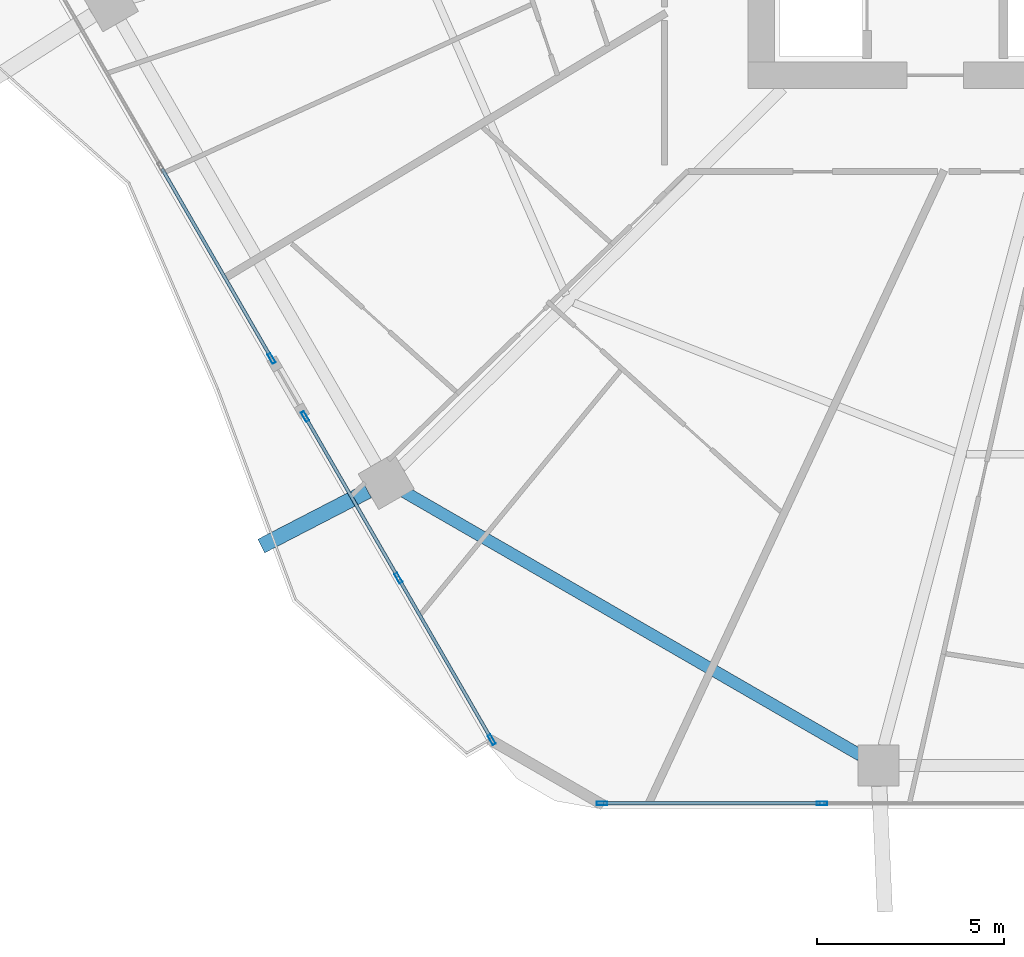
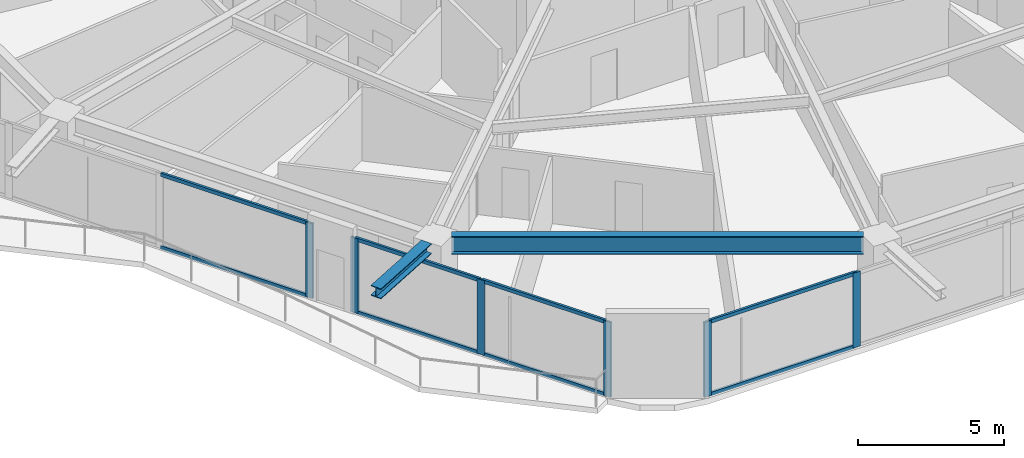
# One storey, part 2 of 32: 14 members, 2 beams, 3 elements without a shape of their own.
"""IFC4 building model written with IfcOpenShell, lengths in metres."""

from ifc_helpers import new_model, si_unit, direction, frame, origin, origin_2d, place, context, subcontext, project, spatial, hollow_rectangle, i_section, extrude, material, material_profile, profile_set, type_object, element, aggregate, save


model = new_model("IFC4")

# Units and contexts
model_context = context("Model", 3, precision=1e-05, world=origin(), true_north=direction((0.0, 1.0)))
body_context = subcontext(model_context, "Body", "Model", "MODEL_VIEW")
ifc_project = project(units=[si_unit("LENGTHUNIT", "METRE"), si_unit("AREAUNIT", "SQUARE_METRE"), si_unit("VOLUMEUNIT", "CUBIC_METRE"), si_unit("PLANEANGLEUNIT", "RADIAN"), si_unit("MASSUNIT", "GRAM", prefix="KILO")], contexts=[model_context])

# Site, building, storey
site_placement = place(None, origin())
site = spatial("IfcSite", under=ifc_project, at=site_placement, CompositionType="ELEMENT")
building_placement = place(site_placement, origin())
building = spatial("IfcBuilding", under=site, at=building_placement, Name="Zuhravey Tower", CompositionType="ELEMENT")
storey_placement = place(building_placement, frame((0.0, 0.0, 111.39990234375)))
storey = spatial("IfcBuildingStorey", under=building, at=storey_placement, Name="L27", CompositionType="ELEMENT", Elevation=111.39990234375)

# Curtain wall, members
ifc_material_1 = material(Name="Thermally broken anodised aluminium", Category="aluminium")
curtain_wall_type = type_object("IfcCurtainWallType", Name="Zone 1-2 Residential Curtain Wall CW3", PredefinedType="NOTDEFINED", material=ifc_material_1)
curtain_wall_1_placement = place(storey_placement, origin())
curtain_wall_1 = element("IfcCurtainWall", 1, at=curtain_wall_1_placement, inside=storey, type_object=curtain_wall_type, Name="L27 CW3 CW-L27-F5-1", PredefinedType="NOTDEFINED")
ifc_material_2 = material(Name="Anodised aluminium", Category="aluminium")
ifc_material_profile_1 = material_profile(ifc_material_2, hollow_rectangle(XDim=0.090087890625, YDim=0.284912109375, WallThickness=0.0048828125, at=origin_2d()), Name="ALU-RHS-90x285x5")
ifc_profile_set_1 = profile_set([ifc_material_profile_1], Name="Anodised aluminium")
member_type_1 = type_object("IfcMemberType", Name="Curtain-Wall Mullion 90x180", PredefinedType="MULLION", material=ifc_profile_set_1)
member_1_placement = place(storey_placement, frame((27.120361328125, 3.04150390625, 0.0), z_axis=(0.0, 0.0, 1.0), x_axis=(0.0, -1.0, 0.0)))
member_1 = element("IfcMember", 2, at=member_1_placement, type_object=member_type_1, Name="CW3 mullion 5", PredefinedType="MULLION", context=body_context, shape_type="SweptSolid", body=[
    extrude(hollow_rectangle(XDim=0.090087890625, YDim=0.284912109375, WallThickness=0.0048828125, at=origin_2d()), origin(), (0.0, 0.0, 1.0), 3.1220703125),
])
member_2_placement = place(storey_placement, frame((21.24560546875, 3.04150390625, 0.0), z_axis=(0.0, 0.0, 1.0), x_axis=(0.0, -1.0, 0.0)))
member_2 = element("IfcMember", 3, at=member_2_placement, type_object=member_type_1, Name="CW3 mullion 6", PredefinedType="MULLION", context=body_context, shape_type="SweptSolid", body=[
    extrude(hollow_rectangle(XDim=0.090087890625, YDim=0.284912109375, WallThickness=0.0048828125, at=origin_2d()), origin(), (0.0, 0.0, 1.0), 3.1220703125),
])

curtain_wall_2_placement = place(storey_placement, origin())
curtain_wall_2 = element("IfcCurtainWall", 4, at=curtain_wall_2_placement, inside=storey, type_object=curtain_wall_type, Name="L27 CW3 CW-L27-F4-1", PredefinedType="NOTDEFINED")
member_3_placement = place(storey_placement, frame((18.298583984375, 4.742919921875, 0.0), z_axis=(0.0, 0.0, 1.0), x_axis=(-0.86602603966, -0.49999889863, 0.0)))
member_3 = element("IfcMember", 5, at=member_3_placement, type_object=member_type_1, Name="CW3 mullion 1", PredefinedType="MULLION", context=body_context, shape_type="SweptSolid", body=[
    extrude(hollow_rectangle(XDim=0.090087890625, YDim=0.284912109375, WallThickness=0.0048828125, at=origin_2d()), origin(), (0.0, 0.0, 1.0), 3.1220703125),
])
member_4_placement = place(storey_placement, frame((15.8056640625, 9.060791015625, 0.0), z_axis=(0.0, 0.0, 1.0), x_axis=(-0.86602603966, -0.49999889863, 0.0)))
member_4 = element("IfcMember", 6, at=member_4_placement, type_object=member_type_1, Name="CW3 mullion 2", PredefinedType="MULLION", context=body_context, shape_type="SweptSolid", body=[
    extrude(hollow_rectangle(XDim=0.090087890625, YDim=0.284912109375, WallThickness=0.0048828125, at=origin_2d()), origin(), (0.0, 0.0, 1.0), 3.1220703125),
])
member_5_placement = place(storey_placement, frame((13.3125, 13.37890625, 0.0), z_axis=(0.0, 0.0, 1.0), x_axis=(-0.86602603966, -0.49999889863, 0.0)))
member_5 = element("IfcMember", 7, at=member_5_placement, type_object=member_type_1, Name="CW3 mullion 3", PredefinedType="MULLION", context=body_context, shape_type="SweptSolid", body=[
    extrude(hollow_rectangle(XDim=0.090087890625, YDim=0.284912109375, WallThickness=0.0048828125, at=origin_2d()), origin(), (0.0, 0.0, 1.0), 3.1220703125),
])

# Curtain wall, member
curtain_wall_3_placement = place(storey_placement, origin())
curtain_wall_3 = element("IfcCurtainWall", 8, at=curtain_wall_3_placement, inside=storey, type_object=curtain_wall_type, Name="L27 CW3 CW-L27-F4-2", PredefinedType="NOTDEFINED")
member_6_placement = place(storey_placement, frame((12.41748046875, 14.928955078125, 0.0), z_axis=(0.0, 0.0, 1.0), x_axis=(-0.86602584763, -0.499999231236, 0.0)))
member_6 = element("IfcMember", 9, at=member_6_placement, type_object=member_type_1, Name="CW3 mullion 1", PredefinedType="MULLION", context=body_context, shape_type="SweptSolid", body=[
    extrude(hollow_rectangle(XDim=0.090087890625, YDim=0.284912109375, WallThickness=0.0048828125, at=origin_2d()), origin(), (0.0, 0.0, 1.0), 3.1220703125),
])

# Member
ifc_material_profile_2 = material_profile(ifc_material_2, hollow_rectangle(XDim=0.090087890625, YDim=0.14990234375, WallThickness=0.0048828125, at=origin_2d()), Name="ALU-RHS-90x150x5")
ifc_profile_set_2 = profile_set([ifc_material_profile_2], Name="Anodised aluminium")
member_type_2 = type_object("IfcMemberType", Name="Curtain-Wall Transom 90x150", PredefinedType="USERDEFINED", material=ifc_profile_set_2)
member_7_placement = place(storey_placement, frame((27.0751953125, 3.04150390625, 0.045166015625), z_axis=(-1.0, 0.0, 0.0), x_axis=(0.0, -1.0, 0.0)))
member_7 = element("IfcMember", 10, at=member_7_placement, type_object=member_type_2, Name="CW3 transom 5.1", ObjectType="TRANSOM", PredefinedType="USERDEFINED", context=body_context, shape_type="SweptSolid", body=[
    extrude(hollow_rectangle(XDim=0.090087890625, YDim=0.14990234375, WallThickness=0.0048828125, at=origin_2d()), origin(), (0.0, 0.0, 1.0), 5.78466796875),
])

member_8_placement = place(storey_placement, frame((27.0751953125, 3.04150390625, 3.0771484375), z_axis=(-1.0, 0.0, 0.0), x_axis=(0.0, -1.0, 0.0)))
member_8 = element("IfcMember", 11, at=member_8_placement, type_object=member_type_2, Name="CW3 transom 5.2", ObjectType="TRANSOM", PredefinedType="USERDEFINED", context=body_context, shape_type="SweptSolid", body=[
    extrude(hollow_rectangle(XDim=0.090087890625, YDim=0.14990234375, WallThickness=0.0048828125, at=origin_2d()), origin(), (0.0, 0.0, 1.0), 5.78466796875),
])

aggregate(curtain_wall_1, [member_1, member_2, member_7, member_8])

member_9_placement = place(storey_placement, frame((18.27587890625, 4.781982421875, 0.045166015625), z_axis=(-0.49996850386, 0.866043587326, 0.0), x_axis=(-0.866043587326, -0.49996850386, 0.0)))
member_9 = element("IfcMember", 12, at=member_9_placement, type_object=member_type_2, Name="CW3 transom 1.1", ObjectType="TRANSOM", PredefinedType="USERDEFINED", context=body_context, shape_type="SweptSolid", body=[
    extrude(hollow_rectangle(XDim=0.090087890625, YDim=0.14990234375, WallThickness=0.0048828125, at=origin_2d()), origin(), (0.0, 0.0, 1.0), 4.895751953125),
])

member_10_placement = place(storey_placement, frame((18.27587890625, 4.781982421875, 3.0771484375), z_axis=(-0.49996850386, 0.866043587326, 0.0), x_axis=(-0.866043587326, -0.49996850386, 0.0)))
member_10 = element("IfcMember", 13, at=member_10_placement, type_object=member_type_2, Name="CW3 transom 1.2", ObjectType="TRANSOM", PredefinedType="USERDEFINED", context=body_context, shape_type="SweptSolid", body=[
    extrude(hollow_rectangle(XDim=0.090087890625, YDim=0.14990234375, WallThickness=0.0048828125, at=origin_2d()), origin(), (0.0, 0.0, 1.0), 4.895751953125),
])

member_11_placement = place(storey_placement, frame((15.782958984375, 9.099853515625, 0.045166015625), z_axis=(-0.49996850386, 0.866043587326, 0.0), x_axis=(-0.866043587326, -0.49996850386, 0.0)))
member_11 = element("IfcMember", 14, at=member_11_placement, type_object=member_type_2, Name="CW3 transom 2.1", ObjectType="TRANSOM", PredefinedType="USERDEFINED", context=body_context, shape_type="SweptSolid", body=[
    extrude(hollow_rectangle(XDim=0.090087890625, YDim=0.14990234375, WallThickness=0.0048828125, at=origin_2d()), origin(), (0.0, 0.0, 1.0), 4.895751953125),
])

member_12_placement = place(storey_placement, frame((15.782958984375, 9.099853515625, 3.0771484375), z_axis=(-0.49996850386, 0.866043587326, 0.0), x_axis=(-0.866043587326, -0.49996850386, 0.0)))
member_12 = element("IfcMember", 15, at=member_12_placement, type_object=member_type_2, Name="CW3 transom 2.2", ObjectType="TRANSOM", PredefinedType="USERDEFINED", context=body_context, shape_type="SweptSolid", body=[
    extrude(hollow_rectangle(XDim=0.090087890625, YDim=0.14990234375, WallThickness=0.0048828125, at=origin_2d()), origin(), (0.0, 0.0, 1.0), 4.895751953125),
])

aggregate(curtain_wall_2, [member_3, member_4, member_5, member_9, member_10, member_11, member_12])

member_13_placement = place(storey_placement, frame((12.39501953125, 14.968017578125, 0.045166015625), z_axis=(-0.499989167784, 0.866031657677, 0.0), x_axis=(-0.866031657677, -0.499989167784, 0.0)))
member_13 = element("IfcMember", 16, at=member_13_placement, type_object=member_type_2, Name="CW3 transom 1.1", ObjectType="TRANSOM", PredefinedType="USERDEFINED", context=body_context, shape_type="SweptSolid", body=[
    extrude(hollow_rectangle(XDim=0.090087890625, YDim=0.14990234375, WallThickness=0.0048828125, at=origin_2d()), origin(), (0.0, 0.0, 1.0), 5.810791015625),
])

member_14_placement = place(storey_placement, frame((12.39501953125, 14.968017578125, 3.0771484375), z_axis=(-0.499989167784, 0.866031657677, 0.0), x_axis=(-0.866031657677, -0.499989167784, 0.0)))
member_14 = element("IfcMember", 17, at=member_14_placement, type_object=member_type_2, Name="CW3 transom 1.2", ObjectType="TRANSOM", PredefinedType="USERDEFINED", context=body_context, shape_type="SweptSolid", body=[
    extrude(hollow_rectangle(XDim=0.090087890625, YDim=0.14990234375, WallThickness=0.0048828125, at=origin_2d()), origin(), (0.0, 0.0, 1.0), 5.810791015625),
])

aggregate(curtain_wall_3, [member_6, member_13, member_14])

# Beams
ifc_material_3 = material(Name="Steel SM460", Category="steel")
ifc_material_profile_3 = material_profile(ifc_material_3, i_section(OverallWidth=0.406982421875, OverallDepth=0.427978515625, WebThickness=0.02001953125, FlangeThickness=0.034912109375, at=origin_2d()), Name="H-428x407x20x35")
ifc_profile_set_3 = profile_set([ifc_material_profile_3], Name="Steel SM460")
beam_type_1 = type_object("IfcBeamType", Name="Exoskeleton Node Tie Beam H428x407", PredefinedType="BEAM", material=ifc_profile_set_3)
beam_1_placement = place(storey_placement, frame((14.98828125, 11.388427734375, 3.336181640625), z_axis=(-0.888437298009, -0.458998003816, 0.0), x_axis=(0.458998003816, -0.888437298009, 0.0)))
element("IfcBeam", 18, at=beam_1_placement, inside=storey, type_object=beam_type_1, Name="L27 Exoskeleton Node Tie NT1-08", PredefinedType="BEAM", context=body_context, shape_type="SweptSolid", body=[
    extrude(i_section(OverallWidth=0.406982421875, OverallDepth=0.427978515625, WebThickness=0.02001953125, FlangeThickness=0.034912109375, at=origin_2d()), origin(), (0.0, 0.0, 1.0), 3.20458984375),
])
ifc_material_4 = material(Name="Steel SM355", Category="steel")
ifc_material_profile_4 = material_profile(ifc_material_4, i_section(OverallWidth=0.320068359375, OverallDepth=0.75, WebThickness=0.013916015625, FlangeThickness=0.02490234375, at=origin_2d()), Name="H-750x320x14x25")
ifc_profile_set_4 = profile_set([ifc_material_profile_4], Name="Steel SM355")
beam_type_2 = type_object("IfcBeamType", Name="Perimeter Ring Beam H750x320", PredefinedType="BEAM", material=ifc_profile_set_4)
beam_2_placement = place(storey_placement, frame((15.9599609375, 11.36669921875, 3.175048828125), z_axis=(0.866017786538, -0.500013193225, 0.0), x_axis=(0.500013193225, 0.866017786538, 0.0)))
element("IfcBeam", 19, at=beam_2_placement, inside=storey, type_object=beam_type_2, Name="L27 PB1 BM-L27-PB-08", PredefinedType="BEAM", context=body_context, shape_type="SweptSolid", body=[
    extrude(i_section(OverallWidth=0.320068359375, OverallDepth=0.75, WebThickness=0.013916015625, FlangeThickness=0.02490234375, at=origin_2d()), origin(), (0.0, 0.0, 1.0), 14.0771484375),
])

save(model, "model.ifc")
